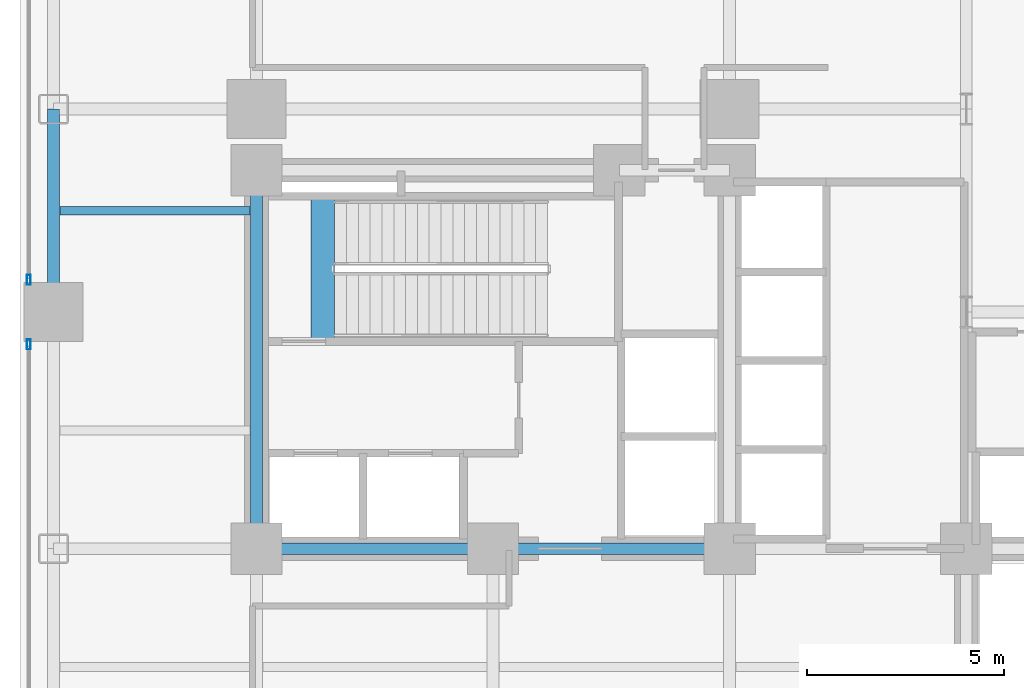
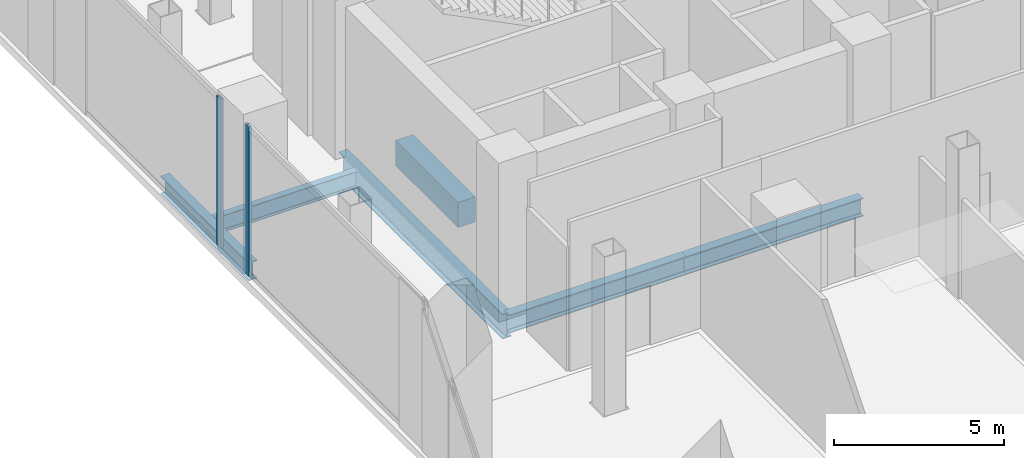
# One storey, part 7 of 27: 6 beams, 2 members, 2 elements without a shape of their own.
"""IFC4 building model written with IfcOpenShell, lengths in metres."""

from ifc_helpers import new_model, si_unit, direction, frame, origin, origin_2d, place, context, subcontext, project, spatial, rectangle, hollow_rectangle, i_section, extrude, material, layer, layer_set, material_profile, profile_set, type_object, element, aggregate, save


model = new_model("IFC4")

# Units and contexts
model_context = context("Model", 3, precision=1e-05, world=origin(), true_north=direction((0.0, 1.0)))
body_context = subcontext(model_context, "Body", "Model", "MODEL_VIEW")
ifc_project = project(units=[si_unit("LENGTHUNIT", "METRE"), si_unit("AREAUNIT", "SQUARE_METRE"), si_unit("VOLUMEUNIT", "CUBIC_METRE"), si_unit("PLANEANGLEUNIT", "RADIAN"), si_unit("MASSUNIT", "GRAM", prefix="KILO"), si_unit("THERMODYNAMICTEMPERATUREUNIT", "KELVIN"), si_unit("POWERUNIT", "WATT")], contexts=[model_context])

# Site, building, storey
site_placement = place(None, origin())
site = spatial("IfcSite", under=ifc_project, at=site_placement, CompositionType="ELEMENT")
building_placement = place(site_placement, origin())
building = spatial("IfcBuilding", under=site, at=building_placement, Name="Svarakhadi Broadcast Tower", CompositionType="ELEMENT")
storey_placement = place(building_placement, frame((0.0, 0.0, 21.89990234375)))
storey = spatial("IfcBuildingStorey", under=building, at=storey_placement, Name="L04", CompositionType="ELEMENT", Elevation=21.89990234375)

# Beam
ifc_material_1 = material(Name="Steel S355J2 (IS 2062 E350C)", Category="steel")
ifc_material_profile_1 = material_profile(ifc_material_1, i_section(OverallWidth=0.219970703125, OverallDepth=0.60009765625, WebThickness=0.011962890625, FlangeThickness=0.01904296875, FilletRadius=0.02392578125, at=origin_2d()), Name="NPB 600x220x122")
ifc_profile_set_1 = profile_set([ifc_material_profile_1], Name="Steel S355J2 (IS 2062 E350C)")
beam_type_1 = type_object("IfcBeamType", Name="Beam_NPB600", PredefinedType="BEAM", material=ifc_profile_set_1)
beam_1_placement = place(storey_placement, frame((1.010009765625, 26.574951171875, -0.574951171875), z_axis=(1.0, 0.0, 0.0), x_axis=(0.0, 1.0, 0.0)))
element("IfcBeam", 1, at=beam_1_placement, inside=storey, type_object=beam_type_1, Name="L04 Secondary Composite Beam SB004", PredefinedType="BEAM", context=body_context, shape_type="SweptSolid", body=[
    extrude(i_section(OverallWidth=0.219970703125, OverallDepth=0.60009765625, WebThickness=0.011962890625, FlangeThickness=0.01904296875, FilletRadius=0.02392578125, at=origin_2d()), origin(), (0.0, 0.0, 1.0), 4.830078125),
])

# Curtain wall, member
ifc_material_2 = material(Name="Anodised Bronze Aluminium AA 6063-T6", Category="aluminium")
ifc_layer = layer(ifc_material_2, 0.25)
ifc_layer_set = layer_set([ifc_layer], Name="Anodised Bronze Aluminium AA 6063-T6")
curtain_wall_type = type_object("IfcCurtainWallType", Name="CW_Sys_01", PredefinedType="NOTDEFINED", material=ifc_layer_set)
curtain_wall_1_placement = place(storey_placement, origin())
curtain_wall_1 = element("IfcCurtainWall", 2, at=curtain_wall_1_placement, inside=storey, type_object=curtain_wall_type, Name="L04 Unitised Facade Curtain Wall 02 Bay 2", PredefinedType="NOTDEFINED")
ifc_material_profile_2 = material_profile(ifc_material_2, hollow_rectangle(XDim=0.094970703125, YDim=0.25, WallThickness=0.006103515625, at=origin_2d()), Name="ALU MULLION 250x95x6")
ifc_profile_set_2 = profile_set([ifc_material_profile_2], Name="Anodised Bronze Aluminium AA 6063-T6")
member_type = type_object("IfcMemberType", Name="CW_Sys_01_Mul", PredefinedType="MULLION", material=ifc_profile_set_2)
member_1_placement = place(storey_placement, frame((0.219970703125, 23.1826171875, 0.0), z_axis=(0.0, 0.0, 1.0), x_axis=(-1.0, 0.0, 0.0)))
member_1 = element("IfcMember", 3, at=member_1_placement, type_object=member_type, Name="CW-01 mullion 2", PredefinedType="MULLION", context=body_context, shape_type="SweptSolid", body=[
    extrude(hollow_rectangle(XDim=0.094970703125, YDim=0.25, WallThickness=0.006103515625, at=origin_2d()), origin(), (0.0, 0.0, 1.0), 5.35009765625),
])
aggregate(curtain_wall_1, [member_1])

curtain_wall_2_placement = place(storey_placement, origin())
curtain_wall_2 = element("IfcCurtainWall", 4, at=curtain_wall_2_placement, inside=storey, type_object=curtain_wall_type, Name="L04 Unitised Facade Curtain Wall 02 Bay 3", PredefinedType="NOTDEFINED")
member_2_placement = place(storey_placement, frame((0.219970703125, 24.8173828125, 0.0), z_axis=(0.0, 0.0, 1.0), x_axis=(-1.0, 0.0, 0.0)))
member_2 = element("IfcMember", 5, at=member_2_placement, type_object=member_type, Name="CW-01 mullion 1", PredefinedType="MULLION", context=body_context, shape_type="SweptSolid", body=[
    extrude(hollow_rectangle(XDim=0.094970703125, YDim=0.25, WallThickness=0.006103515625, at=origin_2d()), origin(), (0.0, 0.0, 1.0), 5.35009765625),
])
aggregate(curtain_wall_2, [member_2])

# Beams
ifc_material_3 = material(Name="Concrete C50/60 (IS 456 M60)", Category="concrete")
ifc_material_profile_3 = material_profile(ifc_material_3, rectangle(XDim=0.60009765625, YDim=0.89990234375, at=origin_2d()), Name="RC 600x900")
ifc_profile_set_3 = profile_set([ifc_material_profile_3], Name="Concrete C50/60 (IS 456 M60)")
beam_type_2 = type_object("IfcBeamType", Name="Coupling_RC600", PredefinedType="USERDEFINED", material=ifc_profile_set_3)
beam_2_placement = place(storey_placement, frame((7.679931640625, 23.260009765625, -0.449951171875), z_axis=(0.0, 1.0, 0.0), x_axis=(-1.0, 0.0, 0.0)))
element("IfcBeam", 6, at=beam_2_placement, inside=storey, type_object=beam_type_2, Name="L04 Stair ST-01 Landing Throat Trimmer Beam CB-01", ObjectType="GIRDER", PredefinedType="USERDEFINED", context=body_context, shape_type="SweptSolid", body=[
    extrude(rectangle(XDim=0.60009765625, YDim=0.89990234375, at=origin_2d()), origin(), (0.0, 0.0, 1.0), 3.679931640625),
])
ifc_material_profile_4 = material_profile(ifc_material_1, i_section(OverallWidth=0.300048828125, OverallDepth=0.64990234375, WebThickness=0.01611328125, FlangeThickness=0.031005859375, FilletRadius=0.027099609375, at=origin_2d()), Name="WPB 650x300x225")
ifc_profile_set_4 = profile_set([ifc_material_profile_4], Name="Steel S355J2 (IS 2062 E350C)")
beam_type_3 = type_object("IfcBeamType", Name="Girder_WPB650", PredefinedType="USERDEFINED", material=ifc_profile_set_4)
for number, where, z_axis, x_axis, name in (
    (7, (6.0, 18.0, -0.599853515625), (1.0, 0.0, 0.0), (0.0, 1.0, 0.0), "L04 Primary E-W Girder G021"),
    (8, (12.0, 18.0, -0.599853515625), (1.0, 0.0, 0.0), (0.0, 1.0, 0.0), "L04 Primary E-W Girder G022"),
):
    element("IfcBeam", number, at=place(storey_placement, frame(where, z_axis=z_axis, x_axis=x_axis)), inside=storey, type_object=beam_type_3, Name=name, ObjectType="GIRDER", PredefinedType="USERDEFINED", context=body_context, shape_type="SweptSolid", body=[
        extrude(i_section(OverallWidth=0.300048828125, OverallDepth=0.64990234375, WebThickness=0.01611328125, FlangeThickness=0.031005859375, FilletRadius=0.027099609375, at=origin_2d()), origin(), (0.0, 0.0, 1.0), 6.0),
    ])
beam_3_placement = place(storey_placement, frame((0.85009765625, 24.0, -0.599853515625), z_axis=(0.0, 1.0, 0.0), x_axis=(-1.0, 0.0, 0.0)))
element("IfcBeam", 9, at=beam_3_placement, inside=storey, type_object=beam_type_3, Name="L04 Primary N-S Girder G047", ObjectType="GIRDER", PredefinedType="USERDEFINED", context=body_context, shape_type="SweptSolid", body=[
    extrude(i_section(OverallWidth=0.300048828125, OverallDepth=0.64990234375, WebThickness=0.01611328125, FlangeThickness=0.031005859375, FilletRadius=0.027099609375, at=origin_2d()), origin(), (0.0, 0.0, 1.0), 5.14990234375),
])
ifc_material_4 = material(Name="Steel S460ML (IS 2062 E450BR)", Category="steel")
ifc_material_profile_5 = material_profile(ifc_material_4, i_section(OverallWidth=0.300048828125, OverallDepth=0.89990234375, WebThickness=0.0185546875, FlangeThickness=0.034912109375, FilletRadius=0.030029296875, at=origin_2d()), Name="WPB 900x300x291")
ifc_profile_set_5 = profile_set([ifc_material_profile_5], Name="Steel S460ML (IS 2062 E450BR)")
beam_type_4 = type_object("IfcBeamType", Name="Girder_WPB900", PredefinedType="USERDEFINED", material=ifc_profile_set_5)
beam_4_placement = place(storey_placement, frame((6.0, 18.0, -0.724853515625), z_axis=(0.0, 1.0, 0.0), x_axis=(-1.0, 0.0, 0.0)))
element("IfcBeam", 10, at=beam_4_placement, inside=storey, type_object=beam_type_4, Name="L04 Primary N-S Girder G053", ObjectType="GIRDER", PredefinedType="USERDEFINED", context=body_context, shape_type="SweptSolid", body=[
    extrude(i_section(OverallWidth=0.300048828125, OverallDepth=0.89990234375, WebThickness=0.0185546875, FlangeThickness=0.034912109375, FilletRadius=0.030029296875, at=origin_2d()), origin(), (0.0, 0.0, 1.0), 9.60009765625),
])

save(model, "model.ifc")
